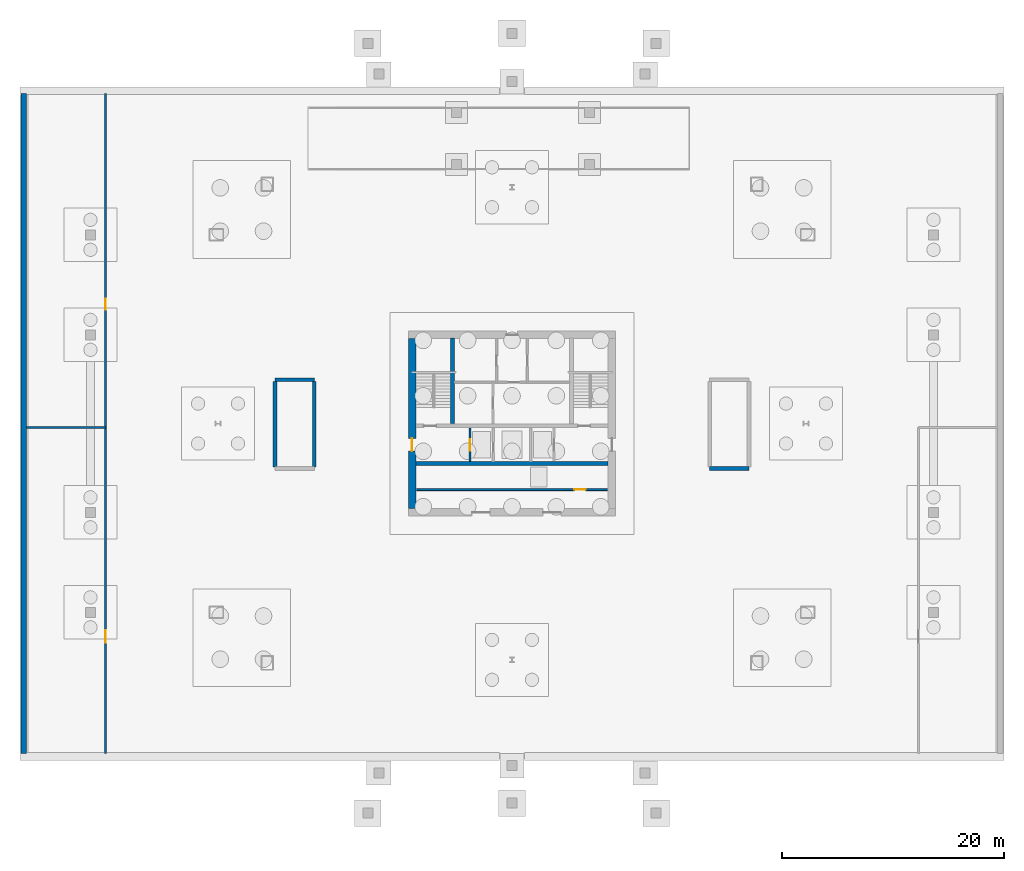
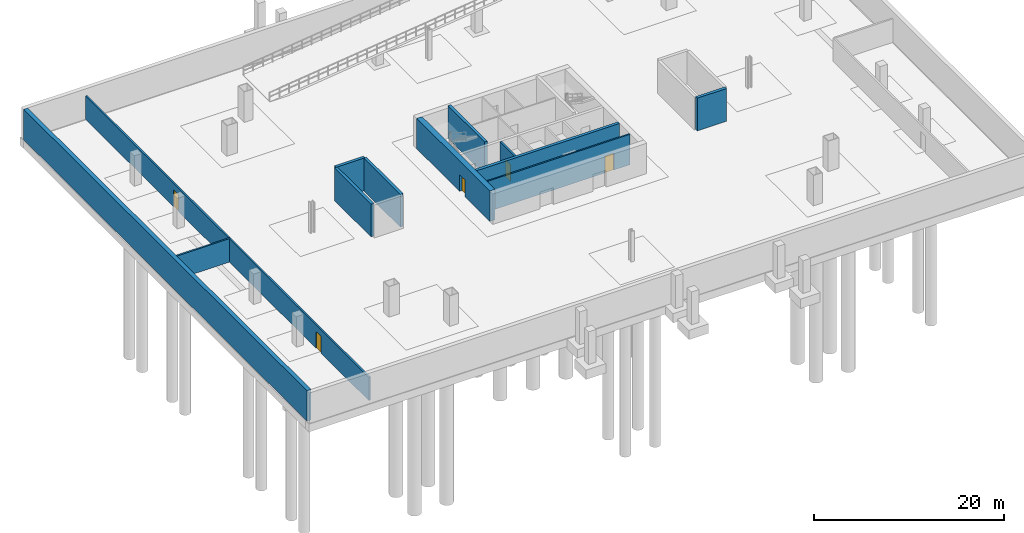
# One storey, part 3 of 7: 12 walls, 5 doors, 5 openings.
"""IFC4 building model written with IfcOpenShell, lengths in metres."""

from ifc_helpers import new_model, si_unit, direction, frame, frame_2d, origin, place, context, subcontext, project, spatial, rectangle, extrude, material, layer, layer_set, type_object, element, fill, save


model = new_model("IFC4")

# Units and contexts
model_context = context("Model", 3, precision=1e-05, world=origin(), true_north=direction((0.0, 1.0)))
body_context = subcontext(model_context, "Body", "Model", "MODEL_VIEW")
ifc_project = project(units=[si_unit("LENGTHUNIT", "METRE"), si_unit("AREAUNIT", "SQUARE_METRE"), si_unit("VOLUMEUNIT", "CUBIC_METRE"), si_unit("PLANEANGLEUNIT", "RADIAN"), si_unit("MASSUNIT", "GRAM", prefix="KILO")], contexts=[model_context])

# Site, building, storey
site_placement = place(None, origin())
site = spatial("IfcSite", under=ifc_project, at=site_placement, CompositionType="ELEMENT")
building_placement = place(site_placement, origin())
building = spatial("IfcBuilding", under=site, at=building_placement, Name="Caelvoria Tower", CompositionType="ELEMENT")
storey_placement = place(building_placement, frame((0.0, 0.0, -8.39990234375)))
storey = spatial("IfcBuildingStorey", under=building, at=storey_placement, Name="B2", CompositionType="ELEMENT", Elevation=-8.39990234375)

# Walls
ifc_material_1 = material(Name="Concrete C40/50", Category="concrete")
ifc_layer_1 = layer(ifc_material_1, 0.5, Name="Concrete C40/50")
ifc_layer_set_1 = layer_set([ifc_layer_1], Name="Basement Retaining Wall 500 - Concrete C40/50")
wall_type_1 = type_object("IfcWallType", Name="Basement Retaining Wall 500", PredefinedType="SOLIDWALL", material=ifc_layer_set_1)
wall_1_placement = place(storey_placement, frame((2.0, 2.25, 0.0), z_axis=(0.0, 0.0, 1.0), x_axis=(0.0, 1.0, 0.0)))
element("IfcWall", 1, at=wall_1_placement, inside=storey, type_object=wall_type_1, Name="B2 Retaining Wall W", PredefinedType="SOLIDWALL", context=body_context, shape_type="SweptSolid", body=[
    extrude(rectangle(XDim=59.5, YDim=0.5, at=frame_2d((29.75, 0.0))), origin(), (0.0, 0.0, 1.0), 3.89990234375),
])
ifc_material_2 = material(Name="Concrete C50/60", Category="concrete")
ifc_layer_2 = layer(ifc_material_2, 0.35009765625, Name="Concrete C50/60")
ifc_layer_set_2 = layer_set([ifc_layer_2], Name="Core Internal Shear Wall 350 - Concrete C50/60")
wall_type_2 = type_object("IfcWallType", Name="Core Internal Shear Wall 350", PredefinedType="SHEAR", material=ifc_layer_set_2)
wall_2_placement = place(storey_placement, frame((37.324951171875, 28.39990234375, 0.0), z_axis=(0.0, 0.0, 1.0), x_axis=(1.0, 0.0, 0.0)))
element("IfcWall", 2, at=wall_2_placement, inside=storey, type_object=wall_type_2, Name="Core Shear Wall B2 M2", PredefinedType="SHEAR", context=body_context, shape_type="SweptSolid", body=[
    extrude(rectangle(XDim=17.35009765625, YDim=0.35009765625, at=frame_2d((8.675048828125, 0.0))), origin(), (0.0, 0.0, 1.0), 3.89990234375),
])
wall_3_placement = place(storey_placement, frame((40.64990234375, 32.0, 0.0), z_axis=(0.0, 0.0, 1.0), x_axis=(0.0, 1.0, 0.0)))
element("IfcWall", 3, at=wall_3_placement, inside=storey, type_object=wall_type_2, Name="Interior Partition IW-B2-ST1E", PredefinedType="SHEAR", context=body_context, shape_type="SweptSolid", body=[
    extrude(rectangle(XDim=7.699951171875, YDim=0.35009765625, at=frame_2d((3.85009765625, 0.0))), origin(), (0.0, 0.0, 1.0), 4.199951171875),
])
wall_4_placement = place(storey_placement, frame((24.625, 35.949951171875, 0.0), z_axis=(0.0, 0.0, 1.0), x_axis=(1.0, 0.0, 0.0)))
element("IfcWall", 4, at=wall_4_placement, inside=storey, type_object=wall_type_2, Name="Podium Stair Shear Wall B2 ST3 N", PredefinedType="SHEAR", context=body_context, shape_type="SweptSolid", body=[
    extrude(rectangle(XDim=3.550048828125, YDim=0.35009765625, at=frame_2d((1.77490234375, 0.0))), origin(), (0.0, 0.0, 1.0), 4.199951171875),
])
for number, where, z_axis, x_axis, name in (
    (5, (24.625, 28.10009765625, 0.0), (0.0, 0.0, 1.0), (0.0, 1.0, 0.0), "Podium Stair Shear Wall B2 ST3 W"),
    (6, (28.175048828125, 28.10009765625, 0.0), (0.0, 0.0, 1.0), (0.0, 1.0, 0.0), "Podium Stair Shear Wall B2 ST3 E"),
):
    element("IfcWall", number, at=place(storey_placement, frame(where, z_axis=z_axis, x_axis=x_axis)), inside=storey, type_object=wall_type_2, Name=name, PredefinedType="SHEAR", context=body_context, shape_type="SweptSolid", body=[
        extrude(rectangle(XDim=7.699951171875, YDim=0.35009765625, at=frame_2d((3.85009765625, 0.0))), origin(), (0.0, 0.0, 1.0), 4.199951171875),
    ])
wall_5_placement = place(storey_placement, frame((63.824951171875, 27.949951171875, 0.0), z_axis=(0.0, 0.0, 1.0), x_axis=(1.0, 0.0, 0.0)))
element("IfcWall", 7, at=wall_5_placement, inside=storey, type_object=wall_type_2, Name="Podium Stair Shear Wall B2 ST4 S", PredefinedType="SHEAR", context=body_context, shape_type="SweptSolid", body=[
    extrude(rectangle(XDim=3.550048828125, YDim=0.35009765625, at=frame_2d((1.77490234375, 0.0))), origin(), (0.0, 0.0, 1.0), 4.199951171875),
])

# Wall, opening, door
ifc_material_3 = material(Name="Concrete Block and Fireboard Assembly", Category="concrete")
ifc_layer_3 = layer(ifc_material_3, 0.179931640625, Name="Concrete Block and Fireboard Assembly")
ifc_layer_set_3 = layer_set([ifc_layer_3], Name="Fire-Rated Hoistway Partition Wall 180 - Concrete Block and Fireboard Assembly")
wall_type_3 = type_object("IfcWallType", Name="Fire-Rated Hoistway Partition Wall 180", PredefinedType="PARTITIONING", material=ifc_layer_set_3)
wall_6_placement = place(storey_placement, frame((37.39990234375, 26.050048828125, 0.0), z_axis=(0.0, 0.0, 1.0), x_axis=(1.0, 0.0, 0.0)))
wall_6 = element("IfcWall", 8, at=wall_6_placement, inside=storey, type_object=wall_type_3, Name="Interior Partition IW-B2-LFRONT", PredefinedType="PARTITIONING", context=body_context, shape_type="SweptSolid", body=[
    extrude(rectangle(XDim=17.2001953125, YDim=0.179931640625, at=frame_2d((8.60009765625, 0.0))), origin(), (0.0, 0.0, 1.0), 3.89990234375),
])
opening_1_placement = place(wall_6_placement, frame((14.199951171875, 0.0, 0.0)))
opening_1 = element("IfcOpeningElement", 9, at=opening_1_placement, cuts=wall_6, Name="Opening LD-01", PredefinedType="OPENING", context=body_context, shape_type="SweptSolid", body=[
    extrude(rectangle(XDim=1.050048828125, YDim=2.14990234375, at=frame_2d((0.52490234375, 1.074951171875))), frame((0.0, 0.099853515625, 0.0), z_axis=(0.0, -1.0, 0.0), x_axis=(1.0, 0.0, 0.0)), (0.0, 0.0, 1.0), 0.199951171875),
])
ifc_material_4 = material(Name="Brushed Bronze Stainless Sliding Landing Door", Category="aluminium")
door_type_1 = type_object("IfcDoorType", Name="Lift Landing Sliding Door 1100x2150", OperationType="NOTDEFINED", PredefinedType="DOOR", material=ifc_material_4)
door_1_placement = place(opening_1_placement, origin())
door_1 = element("IfcDoor", 10, at=door_1_placement, inside=storey, type_object=door_type_1, Name="Interior Door LD-B2-PP1", OperationType="SLIDING_TO_LEFT", OverallHeight=2.14990234375, OverallWidth=1.050048828125, PredefinedType="DOOR", context=body_context, shape_type="SweptSolid", body=[
    extrude(rectangle(XDim=1.050048828125, YDim=2.14990234375, at=frame_2d((0.52490234375, 1.074951171875))), frame((0.0, 0.02490234375, 0.0), z_axis=(0.0, -1.0, 0.0), x_axis=(1.0, 0.0, 0.0)), (0.0, 0.0, 1.0), 0.050048828125),
])
fill(opening_1, door_1)

ifc_layer_4 = layer(ifc_material_3, 0.199951171875, Name="Concrete Block and Fireboard Assembly")
ifc_layer_set_4 = layer_set([ifc_layer_4], Name="Fire-Rated Shaft and Core Partition Wall 200 - Concrete Block and Fireboard Assembly")
wall_type_4 = type_object("IfcWallType", Name="Fire-Rated Shaft and Core Partition Wall 200", PredefinedType="PARTITIONING", material=ifc_layer_set_4)
wall_7_placement = place(storey_placement, frame((42.219970703125, 28.580078125, 0.0), z_axis=(0.0, 0.0, 1.0), x_axis=(0.0, 1.0, 0.0)))
wall_7 = element("IfcWall", 11, at=wall_7_placement, inside=storey, type_object=wall_type_4, Name="Interior Partition IW-B2-LF1W", PredefinedType="PARTITIONING", context=body_context, shape_type="SweptSolid", body=[
    extrude(rectangle(XDim=3.0400390625, YDim=0.199951171875, at=frame_2d((1.52001953125, 0.0))), origin(), (0.0, 0.0, 1.0), 3.89990234375),
])
opening_2_placement = place(wall_7_placement, frame((0.949951171875, 0.0, 0.0)))
opening_2 = element("IfcOpeningElement", 12, at=opening_2_placement, cuts=wall_7, Name="Opening LD-01", PredefinedType="OPENING", context=body_context, shape_type="SweptSolid", body=[
    extrude(rectangle(XDim=1.050048828125, YDim=2.14990234375, at=frame_2d((0.52490234375, 1.074951171875))), frame((0.0, 0.10986328125, 0.0), z_axis=(0.0, -1.0, 0.0), x_axis=(1.0, 0.0, 0.0)), (0.0, 0.0, 1.0), 0.219970703125),
])
door_2_placement = place(opening_2_placement, origin())
door_2 = element("IfcDoor", 13, at=door_2_placement, inside=storey, type_object=door_type_1, Name="Interior Door LD-B2-LF1", OperationType="SLIDING_TO_LEFT", OverallHeight=2.14990234375, OverallWidth=1.050048828125, PredefinedType="DOOR", context=body_context, shape_type="SweptSolid", body=[
    extrude(rectangle(XDim=1.050048828125, YDim=2.14990234375, at=frame_2d((0.52490234375, 1.074951171875))), frame((0.0, 0.02490234375, 0.0), z_axis=(0.0, -1.0, 0.0), x_axis=(1.0, 0.0, 0.0)), (0.0, 0.0, 1.0), 0.050048828125),
])
fill(opening_2, door_2)

# Wall, openings, doors
wall_8_placement = place(storey_placement, frame((9.35009765625, 2.25, 0.0), z_axis=(0.0, 0.0, 1.0), x_axis=(0.0, 1.0, 0.0)))
wall_8 = element("IfcWall", 14, at=wall_8_placement, inside=storey, type_object=wall_type_4, Name="Interior Partition IW-B2-PW", PredefinedType="PARTITIONING", context=body_context, shape_type="SweptSolid", body=[
    extrude(rectangle(XDim=59.5, YDim=0.199951171875, at=frame_2d((29.75, 0.0))), origin(), (0.0, 0.0, 1.0), 3.0),
])
opening_3_placement = place(wall_8_placement, frame((10.0, 0.0, 0.0)))
opening_3 = element("IfcOpeningElement", 15, at=opening_3_placement, cuts=wall_8, Name="Opening ID-01", PredefinedType="OPENING", context=body_context, shape_type="SweptSolid", body=[
    extrude(rectangle(XDim=1.10009765625, YDim=2.14990234375, at=frame_2d((0.550048828125, 1.074951171875))), frame((0.0, 0.10986328125, 0.0), z_axis=(0.0, -1.0, 0.0), x_axis=(1.0, 0.0, 0.0)), (0.0, 0.0, 1.0), 0.219970703125),
])
opening_4_placement = place(wall_8_placement, frame((40.0, 0.0, 0.0)))
opening_4 = element("IfcOpeningElement", 16, at=opening_4_placement, cuts=wall_8, Name="Opening ID-03", PredefinedType="OPENING", context=body_context, shape_type="SweptSolid", body=[
    extrude(rectangle(XDim=1.0, YDim=2.14990234375, at=frame_2d((0.5, 1.074951171875))), frame((0.0, 0.10986328125, 0.0), z_axis=(0.0, -1.0, 0.0), x_axis=(1.0, 0.0, 0.0)), (0.0, 0.0, 1.0), 0.219970703125),
])
ifc_material_5 = material(Name="Painted Hollow Steel Fire Door", Category="steel")
door_type_2 = type_object("IfcDoorType", Name="Fire Door FD60S 1000x2150", OperationType="NOTDEFINED", PredefinedType="DOOR", material=ifc_material_5)
door_3_placement = place(opening_4_placement, origin())
door_3 = element("IfcDoor", 17, at=door_3_placement, inside=storey, type_object=door_type_2, Name="Interior Door DR-B2-PW2", OperationType="SINGLE_SWING_RIGHT", OverallHeight=2.14990234375, OverallWidth=1.0, PredefinedType="DOOR", context=body_context, shape_type="SweptSolid", body=[
    extrude(rectangle(XDim=1.0, YDim=2.14990234375, at=frame_2d((0.5, 1.074951171875))), frame((0.0, 0.02490234375, 0.0), z_axis=(0.0, -1.0, 0.0), x_axis=(1.0, 0.0, 0.0)), (0.0, 0.0, 1.0), 0.050048828125),
])
fill(opening_4, door_3)
door_type_3 = type_object("IfcDoorType", Name="Fire Door FD90S 1100x2150", OperationType="NOTDEFINED", PredefinedType="DOOR", material=ifc_material_5)
door_4_placement = place(opening_3_placement, origin())
door_4 = element("IfcDoor", 18, at=door_4_placement, inside=storey, type_object=door_type_3, Name="Interior Door DR-B2-PW1", OperationType="SINGLE_SWING_LEFT", OverallHeight=2.14990234375, OverallWidth=1.10009765625, PredefinedType="DOOR", context=body_context, shape_type="SweptSolid", body=[
    extrude(rectangle(XDim=1.10009765625, YDim=2.14990234375, at=frame_2d((0.550048828125, 1.074951171875))), frame((0.0, 0.02490234375, 0.0), z_axis=(0.0, -1.0, 0.0), x_axis=(1.0, 0.0, 0.0)), (0.0, 0.0, 1.0), 0.050048828125),
])
fill(opening_3, door_4)

# Wall
wall_9_placement = place(storey_placement, frame((2.25, 31.64990234375, 0.0), z_axis=(0.0, 0.0, 1.0), x_axis=(1.0, 0.0, 0.0)))
element("IfcWall", 19, at=wall_9_placement, inside=storey, type_object=wall_type_4, Name="Interior Partition IW-B2-PWH", PredefinedType="PARTITIONING", context=body_context, shape_type="SweptSolid", body=[
    extrude(rectangle(XDim=7.10009765625, YDim=0.199951171875, at=frame_2d((3.550048828125, 0.0))), origin(), (0.0, 0.0, 1.0), 3.0),
])

# Wall, opening, door
ifc_material_6 = material(Name="Concrete C60/75", Category="concrete")
ifc_layer_5 = layer(ifc_material_6, 0.64990234375, Name="Concrete C60/75")
ifc_layer_set_5 = layer_set([ifc_layer_5], Name="Lower Core Shear Wall 650 - Concrete C60/75")
wall_type_5 = type_object("IfcWallType", Name="Lower Core Shear Wall 650", PredefinedType="SHEAR", material=ifc_layer_set_5)
wall_10_placement = place(storey_placement, frame((37.0, 24.324951171875, 0.0), z_axis=(0.0, 0.0, 1.0), x_axis=(0.0, 1.0, 0.0)))
wall_10 = element("IfcWall", 20, at=wall_10_placement, inside=storey, type_object=wall_type_5, Name="Core Shear Wall B2 W", PredefinedType="SHEAR", context=body_context, shape_type="SweptSolid", body=[
    extrude(rectangle(XDim=15.35009765625, YDim=0.64990234375, at=frame_2d((7.675048828125, 0.0))), origin(), (0.0, 0.0, 1.0), 3.89990234375),
])
opening_5_placement = place(wall_10_placement, frame((5.199951171875, 0.0, 0.0)))
opening_5 = element("IfcOpeningElement", 21, at=opening_5_placement, cuts=wall_10, Name="Opening ID-02", PredefinedType="OPENING", context=body_context, shape_type="SweptSolid", body=[
    extrude(rectangle(XDim=1.14990234375, YDim=2.14990234375, at=frame_2d((0.574951171875, 1.074951171875))), frame((0.0, 0.3349609375, 0.0), z_axis=(0.0, -1.0, 0.0), x_axis=(1.0, 0.0, 0.0)), (0.0, 0.0, 1.0), 0.669921875),
])
door_type_4 = type_object("IfcDoorType", Name="Fire Door FD60S 1150x2150", OperationType="NOTDEFINED", PredefinedType="DOOR", material=ifc_material_5)
door_5_placement = place(opening_5_placement, origin())
door_5 = element("IfcDoor", 22, at=door_5_placement, inside=storey, type_object=door_type_4, Name="Core Door DR-B2-FFLW-OUT", OperationType="SINGLE_SWING_LEFT", OverallHeight=2.14990234375, OverallWidth=1.14990234375, PredefinedType="DOOR", context=body_context, shape_type="SweptSolid", body=[
    extrude(rectangle(XDim=1.14990234375, YDim=2.14990234375, at=frame_2d((0.574951171875, 1.074951171875))), frame((0.0, 0.02490234375, 0.0), z_axis=(0.0, -1.0, 0.0), x_axis=(1.0, 0.0, 0.0)), (0.0, 0.0, 1.0), 0.050048828125),
])
fill(opening_5, door_5)

save(model, "model.ifc")
